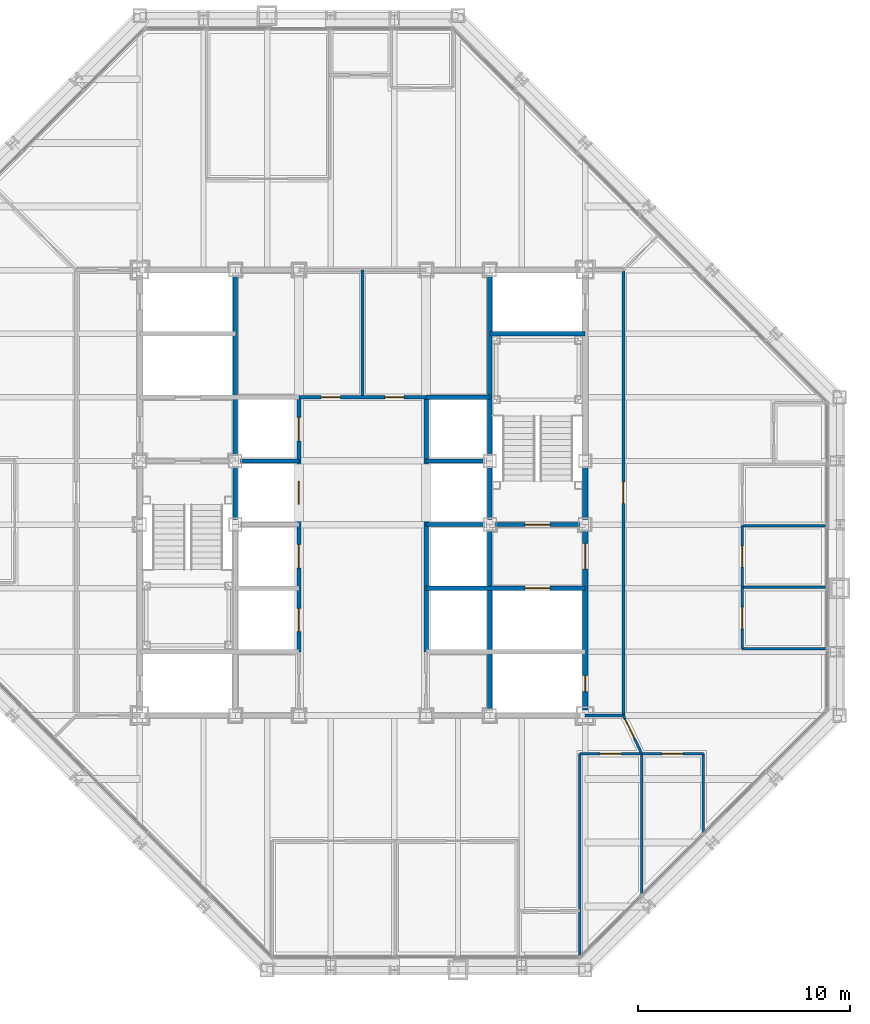
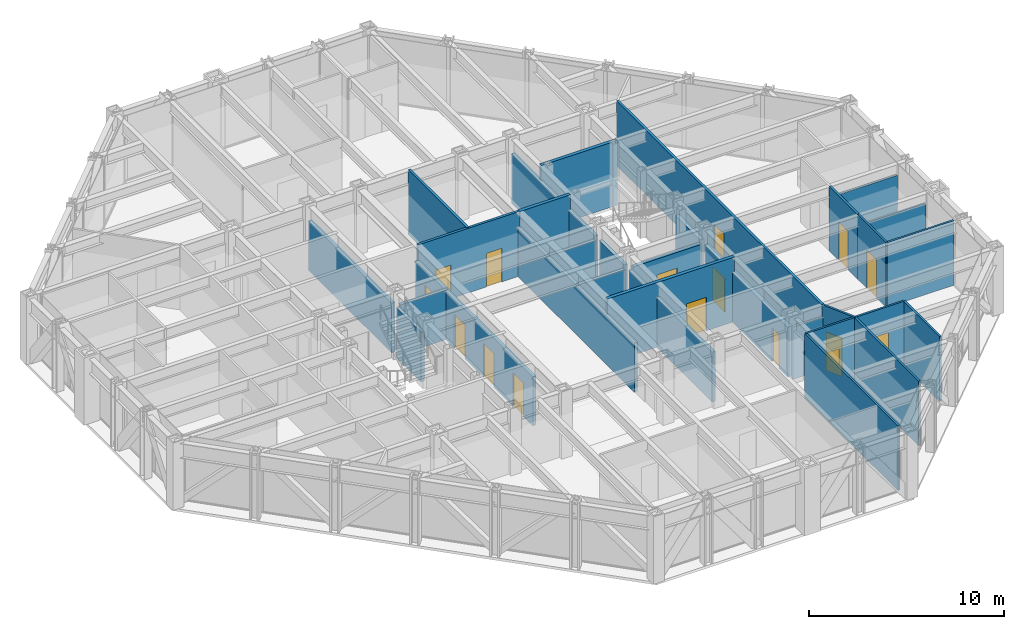
# One storey, part 12 of 16: 31 walls, 16 doors, 16 openings.
"""IFC4 building model written with IfcOpenShell, lengths in metres."""

from ifc_helpers import new_model, si_unit, direction, frame, frame_2d, origin, place, context, subcontext, project, spatial, rectangle, extrude, material, layer, layer_set, type_object, element, fill, save


model = new_model("IFC4")

# Units and contexts
model_context = context("Model", 3, precision=1e-05, world=origin(), true_north=direction((0.0, 1.0)))
body_context = subcontext(model_context, "Body", "Model", "MODEL_VIEW")
ifc_project = project(units=[si_unit("LENGTHUNIT", "METRE"), si_unit("AREAUNIT", "SQUARE_METRE"), si_unit("VOLUMEUNIT", "CUBIC_METRE"), si_unit("PLANEANGLEUNIT", "RADIAN"), si_unit("MASSUNIT", "GRAM", prefix="KILO")], contexts=[model_context])

# Site, building, storey
site_placement = place(None, origin())
site = spatial("IfcSite", under=ifc_project, at=site_placement, CompositionType="ELEMENT")
building_placement = place(site_placement, origin())
building = spatial("IfcBuilding", under=site, at=building_placement, Name="Chuquiago Exchange Tower", CompositionType="ELEMENT")
storey_placement = place(building_placement, frame((0.0, 0.0, 213.89990234375)))
storey = spatial("IfcBuildingStorey", under=building, at=storey_placement, Name="L47", CompositionType="ELEMENT", Elevation=213.89990234375)

# Wall, openings, doors
ifc_material_1 = material(Name="Concrete masonry, fully grouted", Category="masonry")
ifc_layer_1 = layer(ifc_material_1, 0.25)
ifc_layer_set_1 = layer_set([ifc_layer_1], Name="W1 core wall 250")
wall_type_1 = type_object("IfcWallType", Name="W1 core wall 250", PredefinedType="SOLIDWALL", material=ifc_layer_set_1)
wall_1_placement = place(storey_placement, frame((33.0, 12.25, 0.0), z_axis=(0.0, 0.0, 1.0), x_axis=(0.0, 1.0, 0.0)))
wall_1 = element("IfcWall", 1, at=wall_1_placement, inside=storey, type_object=wall_type_1, Name="CW-L47-25-0", PredefinedType="SOLIDWALL", context=body_context, shape_type="SweptSolid", body=[
    extrude(rectangle(XDim=8.5, YDim=0.25, at=frame_2d((4.25, 0.0))), origin(), (0.0, 0.0, 1.0), 3.113037109375),
])
opening_1_placement = place(wall_1_placement, frame((6.64990234375, 0.0, 0.0)))
opening_1 = element("IfcOpeningElement", 2, at=opening_1_placement, cuts=wall_1, Name="Opening L47-004", PredefinedType="OPENING", context=body_context, shape_type="SweptSolid", body=[
    extrude(rectangle(XDim=1.199951171875, YDim=2.10009765625, at=frame_2d((0.60009765625, 1.050048828125))), frame((0.0, 0.135009765625, 0.0), z_axis=(0.0, -1.0, 0.0), x_axis=(1.0, 0.0, 0.0)), (0.0, 0.0, 1.0), 0.27001953125),
])
opening_2_placement = place(wall_1_placement, frame((0.875, 0.0, 0.0)))
opening_2 = element("IfcOpeningElement", 3, at=opening_2_placement, cuts=wall_1, Name="Opening L47-009", PredefinedType="OPENING", context=body_context, shape_type="SweptSolid", body=[
    extrude(rectangle(XDim=0.75, YDim=2.10009765625, at=frame_2d((0.375, 1.050048828125))), frame((0.0, 0.135009765625, 0.0), z_axis=(0.0, -1.0, 0.0), x_axis=(1.0, 0.0, 0.0)), (0.0, 0.0, 1.0), 0.27001953125),
])
ifc_material_2 = material(Name="Steel door, painted", Category="steel")
door_type_1 = type_object("IfcDoorType", Name="D5 firefighting lobby door 1200x2100", OperationType="SINGLE_SWING_LEFT", PredefinedType="DOOR", material=ifc_material_2)
door_1_placement = place(opening_1_placement, origin())
door_1 = element("IfcDoor", 4, at=door_1_placement, inside=storey, type_object=door_type_1, Name="Firefighting lobby 2 door", OperationType="SINGLE_SWING_RIGHT", OverallHeight=2.10009765625, OverallWidth=1.199951171875, PredefinedType="DOOR", context=body_context, shape_type="SweptSolid", body=[
    extrude(rectangle(XDim=1.199951171875, YDim=2.10009765625, at=frame_2d((0.60009765625, 1.050048828125))), frame((0.0, 0.02490234375, 0.0), z_axis=(0.0, -1.0, 0.0), x_axis=(1.0, 0.0, 0.0)), (0.0, 0.0, 1.0), 0.050048828125),
])
fill(opening_1, door_1)
ifc_material_3 = material(Name="Steel door, painted", Category="steel")
door_type_2 = type_object("IfcDoorType", Name="D6 riser access door 750x2100", OperationType="SINGLE_SWING_LEFT", PredefinedType="DOOR", material=ifc_material_3)
door_2_placement = place(opening_2_placement, frame((0.75, 0.0, 0.0), z_axis=(0.0, 0.0, 1.0), x_axis=(-1.0, 0.0, 0.0)))
door_2 = element("IfcDoor", 5, at=door_2_placement, inside=storey, type_object=door_type_2, Name="Riser RE1 door", OperationType="SINGLE_SWING_RIGHT", OverallHeight=2.10009765625, OverallWidth=0.75, PredefinedType="DOOR", context=body_context, shape_type="SweptSolid", body=[
    extrude(rectangle(XDim=0.75, YDim=2.10009765625, at=frame_2d((0.375, 1.050048828125))), frame((0.0, 0.02490234375, 0.0), z_axis=(0.0, -1.0, 0.0), x_axis=(1.0, 0.0, 0.0)), (0.0, 0.0, 1.0), 0.050048828125),
])
fill(opening_2, door_2)

# Wall
wall_2_placement = place(storey_placement, frame((33.0, 21.25, 0.0), z_axis=(0.0, 0.0, 1.0), x_axis=(0.0, 1.0, 0.0)))
element("IfcWall", 6, at=wall_2_placement, inside=storey, type_object=wall_type_1, Name="CW-L47-25-1", PredefinedType="SOLIDWALL", context=body_context, shape_type="SweptSolid", body=[
    extrude(rectangle(XDim=2.5, YDim=0.25, at=frame_2d((1.25, 0.0))), origin(), (0.0, 0.0, 1.0), 3.113037109375),
])

# Wall, opening, door
ifc_material_4 = material(Name="Gypsum board on steel studs, acoustic insulation", Category="steel")
ifc_layer_2 = layer(ifc_material_4, 0.14990234375)
ifc_layer_set_2 = layer_set([ifc_layer_2], Name="W11 corridor wall 150")
wall_type_2 = type_object("IfcWallType", Name="W11 corridor wall 150", PredefinedType="PARTITIONING", material=ifc_layer_set_2)
wall_3_placement = place(storey_placement, frame((34.800048828125, 12.0, 0.0), z_axis=(0.0, 0.0, 1.0), x_axis=(0.0, 1.0, 0.0)))
wall_3 = element("IfcWall", 7, at=wall_3_placement, inside=storey, type_object=wall_type_2, Name="PW-L47-GE0", PredefinedType="PARTITIONING", context=body_context, shape_type="SweptSolid", body=[
    extrude(rectangle(XDim=21.0, YDim=0.14990234375, at=frame_2d((10.5, 0.0))), origin(), (0.0, 0.0, 1.0), 4.0400390625),
])
opening_3_placement = place(wall_3_placement, frame((10.0, 0.0, 0.0)))
opening_3 = element("IfcOpeningElement", 8, at=opening_3_placement, cuts=wall_3, Name="Opening L47-038", PredefinedType="OPENING", context=body_context, shape_type="SweptSolid", body=[
    extrude(rectangle(XDim=1.0, YDim=2.39990234375, at=frame_2d((0.5, 1.199951171875))), frame((0.0, 0.0849609375, 0.0), z_axis=(0.0, -1.0, 0.0), x_axis=(1.0, 0.0, 0.0)), (0.0, 0.0, 1.0), 0.169921875),
])
ifc_material_5 = material(Name="Timber door, laminate faced", Category="wood")
door_type_3 = type_object("IfcDoorType", Name="D9 room door 1000x2400", OperationType="SINGLE_SWING_LEFT", PredefinedType="DOOR", material=ifc_material_5)
door_3_placement = place(opening_3_placement, frame((1.0, 0.0, 0.0), z_axis=(0.0, 0.0, 1.0), x_axis=(-1.0, 0.0, 0.0)))
door_3 = element("IfcDoor", 9, at=door_3_placement, inside=storey, type_object=door_type_3, Name="Team area door", OperationType="SINGLE_SWING_RIGHT", OverallHeight=2.39990234375, OverallWidth=1.0, PredefinedType="DOOR", context=body_context, shape_type="SweptSolid", body=[
    extrude(rectangle(XDim=1.0, YDim=2.39990234375, at=frame_2d((0.5, 1.199951171875))), frame((0.0, 0.02490234375, 0.0), z_axis=(0.0, -1.0, 0.0), x_axis=(1.0, 0.0, 0.0)), (0.0, 0.0, 1.0), 0.050048828125),
])
fill(opening_3, door_3)

# Walls
wall_4_placement = place(storey_placement, frame((33.0, 12.0, 0.0), z_axis=(0.0, 0.0, 1.0), x_axis=(1.0, 0.0, 0.0)))
element("IfcWall", 10, at=wall_4_placement, inside=storey, type_object=wall_type_2, Name="PW-L47-GES0", PredefinedType="PARTITIONING", context=body_context, shape_type="SweptSolid", body=[
    extrude(rectangle(XDim=1.800048828125, YDim=0.14990234375, at=frame_2d((0.89990234375, 0.0))), origin(), (0.0, 0.0, 1.0), 3.2705078125),
])
ifc_material_6 = material(Name="Concrete masonry, fully grouted", Category="masonry")
ifc_layer_3 = layer(ifc_material_6, 0.199951171875)
ifc_layer_set_3 = layer_set([ifc_layer_3], Name="W2 shaft wall 200")
wall_type_3 = type_object("IfcWallType", Name="W2 shaft wall 200", PredefinedType="SOLIDWALL", material=ifc_layer_set_3)
for number, where, z_axis, x_axis, name in (
    (11, (16.75, 24.0, 0.0), (0.0, 0.0, 1.0), (1.0, 0.0, 0.0), "CW-L47-05-1"),
    (12, (25.5, 24.0, 0.0), (0.0, 0.0, 1.0), (1.0, 0.0, 0.0), "CW-L47-06-0"),
):
    element("IfcWall", number, at=place(storey_placement, frame(where, z_axis=z_axis, x_axis=x_axis)), inside=storey, type_object=wall_type_3, Name=name, PredefinedType="SOLIDWALL", context=body_context, shape_type="SweptSolid", body=[
        extrude(rectangle(XDim=2.75, YDim=0.199951171875, at=frame_2d((1.375, 0.0))), origin(), (0.0, 0.0, 1.0), 3.090087890625),
    ])
wall_5_placement = place(storey_placement, frame((25.5, 27.0, 0.0), z_axis=(0.0, 0.0, 1.0), x_axis=(1.0, 0.0, 0.0)))
element("IfcWall", 13, at=wall_5_placement, inside=storey, type_object=wall_type_3, Name="CW-L47-08-0", PredefinedType="SOLIDWALL", context=body_context, shape_type="SweptSolid", body=[
    extrude(rectangle(XDim=3.0, YDim=0.199951171875, at=frame_2d((1.5, 0.0))), origin(), (0.0, 0.0, 1.0), 4.0400390625),
])
wall_6_placement = place(storey_placement, frame((28.5, 30.0, 0.0), z_axis=(0.0, 0.0, 1.0), x_axis=(1.0, 0.0, 0.0)))
element("IfcWall", 14, at=wall_6_placement, inside=storey, type_object=wall_type_3, Name="CW-L47-10-0", PredefinedType="SOLIDWALL", context=body_context, shape_type="SweptSolid", body=[
    extrude(rectangle(XDim=4.5, YDim=0.199951171875, at=frame_2d((2.25, 0.0))), origin(), (0.0, 0.0, 1.0), 4.0400390625),
])
wall_7_placement = place(storey_placement, frame((16.5, 21.25, 0.0), z_axis=(0.0, 0.0, 1.0), x_axis=(0.0, 1.0, 0.0)))
element("IfcWall", 15, at=wall_7_placement, inside=storey, type_object=wall_type_3, Name="CW-L47-13-1", PredefinedType="SOLIDWALL", context=body_context, shape_type="SweptSolid", body=[
    extrude(rectangle(XDim=2.5, YDim=0.199951171875, at=frame_2d((1.25, 0.0))), origin(), (0.0, 0.0, 1.0), 3.113037109375),
])
wall_8_placement = place(storey_placement, frame((16.5, 24.25, 0.0), z_axis=(0.0, 0.0, 1.0), x_axis=(0.0, 1.0, 0.0)))
element("IfcWall", 16, at=wall_8_placement, inside=storey, type_object=wall_type_3, Name="CW-L47-13-2", PredefinedType="SOLIDWALL", context=body_context, shape_type="SweptSolid", body=[
    extrude(rectangle(XDim=8.5, YDim=0.199951171875, at=frame_2d((4.25, 0.0))), origin(), (0.0, 0.0, 1.0), 3.113037109375),
])

# Wall, opening, door
wall_9_placement = place(storey_placement, frame((25.5, 18.0, 0.0), z_axis=(0.0, 0.0, 1.0), x_axis=(1.0, 0.0, 0.0)))
wall_9 = element("IfcWall", 17, at=wall_9_placement, inside=storey, type_object=wall_type_3, Name="CW-L47-15-0", PredefinedType="SOLIDWALL", context=body_context, shape_type="SweptSolid", body=[
    extrude(rectangle(XDim=7.5, YDim=0.199951171875, at=frame_2d((3.75, 0.0))), origin(), (0.0, 0.0, 1.0), 4.0400390625),
])
opening_4_placement = place(wall_9_placement, frame((4.64990234375, 0.0, 0.0)))
opening_4 = element("IfcOpeningElement", 18, at=opening_4_placement, cuts=wall_9, Name="Opening L47-006", PredefinedType="OPENING", context=body_context, shape_type="SweptSolid", body=[
    extrude(rectangle(XDim=1.199951171875, YDim=2.10009765625, at=frame_2d((0.60009765625, 1.050048828125))), frame((0.0, 0.10986328125, 0.0), z_axis=(0.0, -1.0, 0.0), x_axis=(1.0, 0.0, 0.0)), (0.0, 0.0, 1.0), 0.219970703125),
])
ifc_material_7 = material(Name="Stainless steel lift landing door", Category="steel")
door_type_4 = type_object("IfcDoorType", Name="LD2 firefighting lift landing door 1200x2100", OperationType="DOUBLE_DOOR_SLIDING", PredefinedType="DOOR", material=ifc_material_7)
door_4_placement = place(opening_4_placement, origin())
door_4 = element("IfcDoor", 19, at=door_4_placement, inside=storey, type_object=door_type_4, Name="Firefighting lift FL2 landing door", OperationType="DOUBLE_DOOR_SLIDING", OverallHeight=2.10009765625, OverallWidth=1.199951171875, PredefinedType="DOOR", context=body_context, shape_type="SweptSolid", body=[
    extrude(rectangle(XDim=1.199951171875, YDim=2.10009765625, at=frame_2d((0.60009765625, 1.050048828125))), frame((0.0, 0.02490234375, 0.0), z_axis=(0.0, -1.0, 0.0), x_axis=(1.0, 0.0, 0.0)), (0.0, 0.0, 1.0), 0.050048828125),
])
fill(opening_4, door_4)

# Wall
wall_10_placement = place(storey_placement, frame((25.5, 21.0, 0.0), z_axis=(0.0, 0.0, 1.0), x_axis=(1.0, 0.0, 0.0)))
element("IfcWall", 20, at=wall_10_placement, inside=storey, type_object=wall_type_3, Name="CW-L47-17-0", PredefinedType="SOLIDWALL", context=body_context, shape_type="SweptSolid", body=[
    extrude(rectangle(XDim=2.75, YDim=0.199951171875, at=frame_2d((1.375, 0.0))), origin(), (0.0, 0.0, 1.0), 3.090087890625),
])

# Wall, opening, door
wall_11_placement = place(storey_placement, frame((28.75, 21.0, 0.0), z_axis=(0.0, 0.0, 1.0), x_axis=(1.0, 0.0, 0.0)))
wall_11 = element("IfcWall", 21, at=wall_11_placement, inside=storey, type_object=wall_type_3, Name="CW-L47-17-1", PredefinedType="SOLIDWALL", context=body_context, shape_type="SweptSolid", body=[
    extrude(rectangle(XDim=4.0, YDim=0.199951171875, at=frame_2d((2.0, 0.0))), origin(), (0.0, 0.0, 1.0), 3.090087890625),
])
opening_5_placement = place(wall_11_placement, frame((1.39990234375, 0.0, 0.0)))
opening_5 = element("IfcOpeningElement", 22, at=opening_5_placement, cuts=wall_11, Name="Opening L47-003", PredefinedType="OPENING", context=body_context, shape_type="SweptSolid", body=[
    extrude(rectangle(XDim=1.199951171875, YDim=2.10009765625, at=frame_2d((0.60009765625, 1.050048828125))), frame((0.0, 0.10986328125, 0.0), z_axis=(0.0, -1.0, 0.0), x_axis=(1.0, 0.0, 0.0)), (0.0, 0.0, 1.0), 0.219970703125),
])
ifc_material_8 = material(Name="Steel door, painted", Category="steel")
door_type_5 = type_object("IfcDoorType", Name="D4 stair door 1200x2100", OperationType="SINGLE_SWING_LEFT", PredefinedType="DOOR", material=ifc_material_8)
door_5_placement = place(opening_5_placement, origin())
door_5 = element("IfcDoor", 23, at=door_5_placement, inside=storey, type_object=door_type_5, Name="Stair ST2 door", OperationType="SINGLE_SWING_LEFT", OverallHeight=2.10009765625, OverallWidth=1.199951171875, PredefinedType="DOOR", context=body_context, shape_type="SweptSolid", body=[
    extrude(rectangle(XDim=1.199951171875, YDim=2.10009765625, at=frame_2d((0.60009765625, 1.050048828125))), frame((0.0, 0.02490234375, 0.0), z_axis=(0.0, -1.0, 0.0), x_axis=(1.0, 0.0, 0.0)), (0.0, 0.0, 1.0), 0.050048828125),
])
fill(opening_5, door_5)

# Wall, openings, doors
wall_12_placement = place(storey_placement, frame((19.5, 15.0, 0.0), z_axis=(0.0, 0.0, 1.0), x_axis=(0.0, 1.0, 0.0)))
wall_12 = element("IfcWall", 24, at=wall_12_placement, inside=storey, type_object=wall_type_3, Name="CW-L47-19-0", PredefinedType="SOLIDWALL", context=body_context, shape_type="SweptSolid", body=[
    extrude(rectangle(XDim=12.0, YDim=0.199951171875, at=frame_2d((6.0, 0.0))), origin(), (0.0, 0.0, 1.0), 3.064697265625),
])
opening_6_placement = place(wall_12_placement, frame((0.949951171875, 0.0, 0.0)))
opening_6 = element("IfcOpeningElement", 25, at=opening_6_placement, cuts=wall_12, Name="Opening L47-015", PredefinedType="OPENING", context=body_context, shape_type="SweptSolid", body=[
    extrude(rectangle(XDim=1.10009765625, YDim=2.10009765625, at=frame_2d((0.550048828125, 1.050048828125))), frame((0.0, 0.10986328125, 0.0), z_axis=(0.0, -1.0, 0.0), x_axis=(1.0, 0.0, 0.0)), (0.0, 0.0, 1.0), 0.219970703125),
])
opening_7_placement = place(wall_12_placement, frame((3.949951171875, 0.0, 0.0)))
opening_7 = element("IfcOpeningElement", 26, at=opening_7_placement, cuts=wall_12, Name="Opening L47-016", PredefinedType="OPENING", context=body_context, shape_type="SweptSolid", body=[
    extrude(rectangle(XDim=1.10009765625, YDim=2.10009765625, at=frame_2d((0.550048828125, 1.050048828125))), frame((0.0, 0.10986328125, 0.0), z_axis=(0.0, -1.0, 0.0), x_axis=(1.0, 0.0, 0.0)), (0.0, 0.0, 1.0), 0.219970703125),
])
opening_8_placement = place(wall_12_placement, frame((6.949951171875, 0.0, 0.0)))
opening_8 = element("IfcOpeningElement", 27, at=opening_8_placement, cuts=wall_12, Name="Opening L47-017", PredefinedType="OPENING", context=body_context, shape_type="SweptSolid", body=[
    extrude(rectangle(XDim=1.10009765625, YDim=2.10009765625, at=frame_2d((0.550048828125, 1.050048828125))), frame((0.0, 0.10986328125, 0.0), z_axis=(0.0, -1.0, 0.0), x_axis=(1.0, 0.0, 0.0)), (0.0, 0.0, 1.0), 0.219970703125),
])
opening_9_placement = place(wall_12_placement, frame((9.949951171875, 0.0, 0.0)))
opening_9 = element("IfcOpeningElement", 28, at=opening_9_placement, cuts=wall_12, Name="Opening L47-018", PredefinedType="OPENING", context=body_context, shape_type="SweptSolid", body=[
    extrude(rectangle(XDim=1.10009765625, YDim=2.10009765625, at=frame_2d((0.550048828125, 1.050048828125))), frame((0.0, 0.10986328125, 0.0), z_axis=(0.0, -1.0, 0.0), x_axis=(1.0, 0.0, 0.0)), (0.0, 0.0, 1.0), 0.219970703125),
])
ifc_material_9 = material(Name="Stainless steel lift landing door", Category="steel")
door_type_6 = type_object("IfcDoorType", Name="LD1 lift landing door 1100x2100", OperationType="DOUBLE_DOOR_SLIDING", PredefinedType="DOOR", material=ifc_material_9)
door_6_placement = place(opening_6_placement, origin())
door_6 = element("IfcDoor", 29, at=door_6_placement, inside=storey, type_object=door_type_6, Name="Lift LC1 landing door", OperationType="DOUBLE_DOOR_SLIDING", OverallHeight=2.10009765625, OverallWidth=1.10009765625, PredefinedType="DOOR", context=body_context, shape_type="SweptSolid", body=[
    extrude(rectangle(XDim=1.10009765625, YDim=2.10009765625, at=frame_2d((0.550048828125, 1.050048828125))), frame((0.0, 0.02490234375, 0.0), z_axis=(0.0, -1.0, 0.0), x_axis=(1.0, 0.0, 0.0)), (0.0, 0.0, 1.0), 0.050048828125),
])
fill(opening_6, door_6)
door_7_placement = place(opening_7_placement, origin())
door_7 = element("IfcDoor", 30, at=door_7_placement, inside=storey, type_object=door_type_6, Name="Lift LC2 landing door", OperationType="DOUBLE_DOOR_SLIDING", OverallHeight=2.10009765625, OverallWidth=1.10009765625, PredefinedType="DOOR", context=body_context, shape_type="SweptSolid", body=[
    extrude(rectangle(XDim=1.10009765625, YDim=2.10009765625, at=frame_2d((0.550048828125, 1.050048828125))), frame((0.0, 0.02490234375, 0.0), z_axis=(0.0, -1.0, 0.0), x_axis=(1.0, 0.0, 0.0)), (0.0, 0.0, 1.0), 0.050048828125),
])
fill(opening_7, door_7)
door_8_placement = place(opening_8_placement, origin())
door_8 = element("IfcDoor", 31, at=door_8_placement, inside=storey, type_object=door_type_6, Name="Lift LC3 landing door", OperationType="DOUBLE_DOOR_SLIDING", OverallHeight=2.10009765625, OverallWidth=1.10009765625, PredefinedType="DOOR", context=body_context, shape_type="SweptSolid", body=[
    extrude(rectangle(XDim=1.10009765625, YDim=2.10009765625, at=frame_2d((0.550048828125, 1.050048828125))), frame((0.0, 0.02490234375, 0.0), z_axis=(0.0, -1.0, 0.0), x_axis=(1.0, 0.0, 0.0)), (0.0, 0.0, 1.0), 0.050048828125),
])
fill(opening_8, door_8)
door_9_placement = place(opening_9_placement, origin())
door_9 = element("IfcDoor", 32, at=door_9_placement, inside=storey, type_object=door_type_6, Name="Lift LC4 landing door", OperationType="DOUBLE_DOOR_SLIDING", OverallHeight=2.10009765625, OverallWidth=1.10009765625, PredefinedType="DOOR", context=body_context, shape_type="SweptSolid", body=[
    extrude(rectangle(XDim=1.10009765625, YDim=2.10009765625, at=frame_2d((0.550048828125, 1.050048828125))), frame((0.0, 0.02490234375, 0.0), z_axis=(0.0, -1.0, 0.0), x_axis=(1.0, 0.0, 0.0)), (0.0, 0.0, 1.0), 0.050048828125),
])
fill(opening_9, door_9)

# Walls
wall_13_placement = place(storey_placement, frame((25.5, 15.0, 0.0), z_axis=(0.0, 0.0, 1.0), x_axis=(0.0, 1.0, 0.0)))
element("IfcWall", 33, at=wall_13_placement, inside=storey, type_object=wall_type_3, Name="CW-L47-22-0", PredefinedType="SOLIDWALL", context=body_context, shape_type="SweptSolid", body=[
    extrude(rectangle(XDim=12.0, YDim=0.199951171875, at=frame_2d((6.0, 0.0))), origin(), (0.0, 0.0, 1.0), 3.064697265625),
])
wall_14_placement = place(storey_placement, frame((28.5, 12.25, 0.0), z_axis=(0.0, 0.0, 1.0), x_axis=(0.0, 1.0, 0.0)))
element("IfcWall", 34, at=wall_14_placement, inside=storey, type_object=wall_type_3, Name="CW-L47-24-0", PredefinedType="SOLIDWALL", context=body_context, shape_type="SweptSolid", body=[
    extrude(rectangle(XDim=8.5, YDim=0.199951171875, at=frame_2d((4.25, 0.0))), origin(), (0.0, 0.0, 1.0), 3.113037109375),
])
wall_15_placement = place(storey_placement, frame((28.5, 21.25, 0.0), z_axis=(0.0, 0.0, 1.0), x_axis=(0.0, 1.0, 0.0)))
element("IfcWall", 35, at=wall_15_placement, inside=storey, type_object=wall_type_3, Name="CW-L47-24-1", PredefinedType="SOLIDWALL", context=body_context, shape_type="SweptSolid", body=[
    extrude(rectangle(XDim=2.5, YDim=0.199951171875, at=frame_2d((1.25, 0.0))), origin(), (0.0, 0.0, 1.0), 3.113037109375),
])
wall_16_placement = place(storey_placement, frame((28.5, 24.25, 0.0), z_axis=(0.0, 0.0, 1.0), x_axis=(0.0, 1.0, 0.0)))
element("IfcWall", 36, at=wall_16_placement, inside=storey, type_object=wall_type_3, Name="CW-L47-24-2", PredefinedType="SOLIDWALL", context=body_context, shape_type="SweptSolid", body=[
    extrude(rectangle(XDim=8.5, YDim=0.199951171875, at=frame_2d((4.25, 0.0))), origin(), (0.0, 0.0, 1.0), 3.113037109375),
])

# Wall, openings, doors
ifc_material_10 = material(Name="Gypsum board on steel studs", Category="steel")
ifc_layer_4 = layer(ifc_material_10, 0.14990234375)
ifc_layer_set_4 = layer_set([ifc_layer_4], Name="W3 core partition 150")
wall_type_4 = type_object("IfcWallType", Name="W3 core partition 150", PredefinedType="PARTITIONING", material=ifc_layer_set_4)
wall_17_placement = place(storey_placement, frame((19.5, 27.0, 0.0), z_axis=(0.0, 0.0, 1.0), x_axis=(1.0, 0.0, 0.0)))
wall_17 = element("IfcWall", 37, at=wall_17_placement, inside=storey, type_object=wall_type_4, Name="CW-L47-TF", PredefinedType="PARTITIONING", context=body_context, shape_type="SweptSolid", body=[
    extrude(rectangle(XDim=6.0, YDim=0.14990234375, at=frame_2d((3.0, 0.0))), origin(), (0.0, 0.0, 1.0), 4.0400390625),
])
opening_10_placement = place(wall_17_placement, frame((1.050048828125, 0.0, 0.0)))
opening_10 = element("IfcOpeningElement", 38, at=opening_10_placement, cuts=wall_17, Name="Opening L47-011", PredefinedType="OPENING", context=body_context, shape_type="SweptSolid", body=[
    extrude(rectangle(XDim=0.89990234375, YDim=2.10009765625, at=frame_2d((0.449951171875, 1.050048828125))), frame((0.0, 0.0849609375, 0.0), z_axis=(0.0, -1.0, 0.0), x_axis=(1.0, 0.0, 0.0)), (0.0, 0.0, 1.0), 0.169921875),
])
opening_11_placement = place(wall_17_placement, frame((4.050048828125, 0.0, 0.0)))
opening_11 = element("IfcOpeningElement", 39, at=opening_11_placement, cuts=wall_17, Name="Opening L47-012", PredefinedType="OPENING", context=body_context, shape_type="SweptSolid", body=[
    extrude(rectangle(XDim=0.89990234375, YDim=2.10009765625, at=frame_2d((0.449951171875, 1.050048828125))), frame((0.0, 0.0849609375, 0.0), z_axis=(0.0, -1.0, 0.0), x_axis=(1.0, 0.0, 0.0)), (0.0, 0.0, 1.0), 0.169921875),
])
ifc_material_11 = material(Name="Timber door, laminate faced", Category="wood")
door_type_7 = type_object("IfcDoorType", Name="D7 toilet door 900x2100", OperationType="SINGLE_SWING_LEFT", PredefinedType="DOOR", material=ifc_material_11)
door_10_placement = place(opening_10_placement, origin())
door_10 = element("IfcDoor", 40, at=door_10_placement, inside=storey, type_object=door_type_7, Name="Male WC door", OperationType="SINGLE_SWING_RIGHT", OverallHeight=2.10009765625, OverallWidth=0.89990234375, PredefinedType="DOOR", context=body_context, shape_type="SweptSolid", body=[
    extrude(rectangle(XDim=0.89990234375, YDim=2.10009765625, at=frame_2d((0.449951171875, 1.050048828125))), frame((0.0, 0.02490234375, 0.0), z_axis=(0.0, -1.0, 0.0), x_axis=(1.0, 0.0, 0.0)), (0.0, 0.0, 1.0), 0.050048828125),
])
fill(opening_10, door_10)
door_11_placement = place(opening_11_placement, origin())
door_11 = element("IfcDoor", 41, at=door_11_placement, inside=storey, type_object=door_type_7, Name="Female WC door", OperationType="SINGLE_SWING_LEFT", OverallHeight=2.10009765625, OverallWidth=0.89990234375, PredefinedType="DOOR", context=body_context, shape_type="SweptSolid", body=[
    extrude(rectangle(XDim=0.89990234375, YDim=2.10009765625, at=frame_2d((0.449951171875, 1.050048828125))), frame((0.0, 0.02490234375, 0.0), z_axis=(0.0, -1.0, 0.0), x_axis=(1.0, 0.0, 0.0)), (0.0, 0.0, 1.0), 0.050048828125),
])
fill(opening_11, door_11)

# Walls
wall_18_placement = place(storey_placement, frame((22.5, 27.0, 0.0), z_axis=(0.0, 0.0, 1.0), x_axis=(0.0, 1.0, 0.0)))
element("IfcWall", 42, at=wall_18_placement, inside=storey, type_object=wall_type_4, Name="CW-L47-TM", PredefinedType="PARTITIONING", context=body_context, shape_type="SweptSolid", body=[
    extrude(rectangle(XDim=6.0, YDim=0.14990234375, at=frame_2d((3.0, 0.0))), origin(), (0.0, 0.0, 1.0), 4.0400390625),
])
ifc_material_12 = material(Name="Gypsum board on steel studs", Category="steel")
ifc_layer_5 = layer(ifc_material_12, 0.1201171875)
ifc_layer_set_5 = layer_set([ifc_layer_5], Name="W4 partition 120")
wall_type_5 = type_object("IfcWallType", Name="W4 partition 120", PredefinedType="PARTITIONING", material=ifc_layer_set_5)
wall_19_placement = place(storey_placement, frame((32.75146484375, 0.666015625, 0.0), z_axis=(0.0, 0.0, 1.0), x_axis=(0.0, 1.0, 0.0)))
element("IfcWall", 43, at=wall_19_placement, inside=storey, type_object=wall_type_5, Name="PW-L47-S03275", PredefinedType="PARTITIONING", context=body_context, shape_type="SweptSolid", body=[
    extrude(rectangle(XDim=9.533935546875, YDim=0.1201171875, at=frame_2d((4.76708984375, 0.0))), origin(), (0.0, 0.0, 1.0), 4.0400390625),
])
wall_20_placement = place(storey_placement, frame((35.66357421875, 3.578125, 0.0), z_axis=(0.0, 0.0, 1.0), x_axis=(0.0, 1.0, 0.0)))
element("IfcWall", 44, at=wall_20_placement, inside=storey, type_object=wall_type_5, Name="PW-L47-S03566", PredefinedType="PARTITIONING", context=body_context, shape_type="SweptSolid", body=[
    extrude(rectangle(XDim=6.621826171875, YDim=0.1201171875, at=frame_2d((3.31103515625, 0.0))), origin(), (0.0, 0.0, 1.0), 4.0400390625),
])
wall_21_placement = place(storey_placement, frame((38.57568359375, 6.490234375, 0.0), z_axis=(0.0, 0.0, 1.0), x_axis=(0.0, 1.0, 0.0)))
element("IfcWall", 45, at=wall_21_placement, inside=storey, type_object=wall_type_5, Name="PW-L47-S03858", PredefinedType="PARTITIONING", context=body_context, shape_type="SweptSolid", body=[
    extrude(rectangle(XDim=3.709716796875, YDim=0.1201171875, at=frame_2d((1.85498046875, 0.0))), origin(), (0.0, 0.0, 1.0), 4.0400390625),
])

# Wall, opening, door
wall_22_placement = place(storey_placement, frame((32.75146484375, 10.199951171875, 0.0), z_axis=(0.0, 0.0, 1.0), x_axis=(1.0, 0.0, 0.0)))
wall_22 = element("IfcWall", 46, at=wall_22_placement, inside=storey, type_object=wall_type_5, Name="PW-L47-SF03275", PredefinedType="PARTITIONING", context=body_context, shape_type="SweptSolid", body=[
    extrude(rectangle(XDim=2.912109375, YDim=0.1201171875, at=frame_2d((1.4560546875, 0.0))), origin(), (0.0, 0.0, 1.0), 4.0400390625),
])
opening_12_placement = place(wall_22_placement, frame((0.9560546875, 0.0, 0.0)))
opening_12 = element("IfcOpeningElement", 47, at=opening_12_placement, cuts=wall_22, Name="Opening L47-022", PredefinedType="OPENING", context=body_context, shape_type="SweptSolid", body=[
    extrude(rectangle(XDim=1.0, YDim=2.39990234375, at=frame_2d((0.5, 1.199951171875))), frame((0.0, 0.070068359375, 0.0), z_axis=(0.0, -1.0, 0.0), x_axis=(1.0, 0.0, 0.0)), (0.0, 0.0, 1.0), 0.14013671875),
])
door_12_placement = place(opening_12_placement, frame((1.0, 0.0, 0.0), z_axis=(0.0, 0.0, 1.0), x_axis=(-1.0, 0.0, 0.0)))
door_12 = element("IfcDoor", 48, at=door_12_placement, inside=storey, type_object=door_type_3, Name="Office door", OperationType="SINGLE_SWING_LEFT", OverallHeight=2.39990234375, OverallWidth=1.0, PredefinedType="DOOR", context=body_context, shape_type="SweptSolid", body=[
    extrude(rectangle(XDim=1.0, YDim=2.39990234375, at=frame_2d((0.5, 1.199951171875))), frame((0.0, 0.02490234375, 0.0), z_axis=(0.0, -1.0, 0.0), x_axis=(1.0, 0.0, 0.0)), (0.0, 0.0, 1.0), 0.050048828125),
])
fill(opening_12, door_12)

wall_23_placement = place(storey_placement, frame((35.66357421875, 10.199951171875, 0.0), z_axis=(0.0, 0.0, 1.0), x_axis=(1.0, 0.0, 0.0)))
wall_23 = element("IfcWall", 49, at=wall_23_placement, inside=storey, type_object=wall_type_5, Name="PW-L47-SF03566", PredefinedType="PARTITIONING", context=body_context, shape_type="SweptSolid", body=[
    extrude(rectangle(XDim=2.912109375, YDim=0.1201171875, at=frame_2d((1.4560546875, 0.0))), origin(), (0.0, 0.0, 1.0), 4.0400390625),
])
opening_13_placement = place(wall_23_placement, frame((0.9560546875, 0.0, 0.0)))
opening_13 = element("IfcOpeningElement", 50, at=opening_13_placement, cuts=wall_23, Name="Opening L47-023", PredefinedType="OPENING", context=body_context, shape_type="SweptSolid", body=[
    extrude(rectangle(XDim=1.0, YDim=2.39990234375, at=frame_2d((0.5, 1.199951171875))), frame((0.0, 0.070068359375, 0.0), z_axis=(0.0, -1.0, 0.0), x_axis=(1.0, 0.0, 0.0)), (0.0, 0.0, 1.0), 0.14013671875),
])
door_13_placement = place(opening_13_placement, frame((1.0, 0.0, 0.0), z_axis=(0.0, 0.0, 1.0), x_axis=(-1.0, 0.0, 0.0)))
door_13 = element("IfcDoor", 51, at=door_13_placement, inside=storey, type_object=door_type_3, Name="Office door", OperationType="SINGLE_SWING_RIGHT", OverallHeight=2.39990234375, OverallWidth=1.0, PredefinedType="DOOR", context=body_context, shape_type="SweptSolid", body=[
    extrude(rectangle(XDim=1.0, YDim=2.39990234375, at=frame_2d((0.5, 1.199951171875))), frame((0.0, 0.02490234375, 0.0), z_axis=(0.0, -1.0, 0.0), x_axis=(1.0, 0.0, 0.0)), (0.0, 0.0, 1.0), 0.050048828125),
])
fill(opening_13, door_13)

# Walls
wall_24_placement = place(storey_placement, frame((44.347412109375, 15.149169921875, 0.0), z_axis=(0.0, 0.0, 1.0), x_axis=(-1.0, 0.0, 0.0)))
element("IfcWall", 52, at=wall_24_placement, inside=storey, type_object=wall_type_5, Name="PW-L47-E01515", PredefinedType="PARTITIONING", context=body_context, shape_type="SweptSolid", body=[
    extrude(rectangle(XDim=3.947509765625, YDim=0.1201171875, at=frame_2d((1.9736328125, 0.0))), origin(), (0.0, 0.0, 1.0), 4.0400390625),
])
for number, where, z_axis, x_axis, name in (
    (53, (44.347412109375, 18.0498046875, 0.0), (0.0, 0.0, 1.0), (-1.0, 0.0, 0.0), "PW-L47-E01805"),
    (54, (44.347412109375, 20.9501953125, 0.0), (0.0, 0.0, 1.0), (-1.0, 0.0, 0.0), "PW-L47-E02095"),
):
    element("IfcWall", number, at=place(storey_placement, frame(where, z_axis=z_axis, x_axis=x_axis)), inside=storey, type_object=wall_type_5, Name=name, PredefinedType="PARTITIONING", context=body_context, shape_type="SweptSolid", body=[
        extrude(rectangle(XDim=3.947509765625, YDim=0.1201171875, at=frame_2d((1.9736328125, 0.0))), origin(), (0.0, 0.0, 1.0), 3.35693359375),
    ])

# Wall, opening, door
wall_25_placement = place(storey_placement, frame((40.39990234375, 15.149169921875, 0.0), z_axis=(0.0, 0.0, 1.0), x_axis=(0.0, 1.0, 0.0)))
wall_25 = element("IfcWall", 55, at=wall_25_placement, inside=storey, type_object=wall_type_5, Name="PW-L47-EF01515", PredefinedType="PARTITIONING", context=body_context, shape_type="SweptSolid", body=[
    extrude(rectangle(XDim=2.900634765625, YDim=0.1201171875, at=frame_2d((1.4501953125, 0.0))), origin(), (0.0, 0.0, 1.0), 4.0400390625),
])
opening_14_placement = place(wall_25_placement, frame((0.9501953125, 0.0, 0.0)))
opening_14 = element("IfcOpeningElement", 56, at=opening_14_placement, cuts=wall_25, Name="Opening L47-024", PredefinedType="OPENING", context=body_context, shape_type="SweptSolid", body=[
    extrude(rectangle(XDim=1.0, YDim=2.39990234375, at=frame_2d((0.5, 1.199951171875))), frame((0.0, 0.070068359375, 0.0), z_axis=(0.0, -1.0, 0.0), x_axis=(1.0, 0.0, 0.0)), (0.0, 0.0, 1.0), 0.14013671875),
])
door_14_placement = place(opening_14_placement, frame((1.0, 0.0, 0.0), z_axis=(0.0, 0.0, 1.0), x_axis=(-1.0, 0.0, 0.0)))
door_14 = element("IfcDoor", 57, at=door_14_placement, inside=storey, type_object=door_type_3, Name="Office door", OperationType="SINGLE_SWING_RIGHT", OverallHeight=2.39990234375, OverallWidth=1.0, PredefinedType="DOOR", context=body_context, shape_type="SweptSolid", body=[
    extrude(rectangle(XDim=1.0, YDim=2.39990234375, at=frame_2d((0.5, 1.199951171875))), frame((0.0, 0.02490234375, 0.0), z_axis=(0.0, -1.0, 0.0), x_axis=(1.0, 0.0, 0.0)), (0.0, 0.0, 1.0), 0.050048828125),
])
fill(opening_14, door_14)

wall_26_placement = place(storey_placement, frame((40.39990234375, 18.0498046875, 0.0), z_axis=(0.0, 0.0, 1.0), x_axis=(0.0, 1.0, 0.0)))
wall_26 = element("IfcWall", 58, at=wall_26_placement, inside=storey, type_object=wall_type_5, Name="PW-L47-EF01805", PredefinedType="PARTITIONING", context=body_context, shape_type="SweptSolid", body=[
    extrude(rectangle(XDim=2.900390625, YDim=0.1201171875, at=frame_2d((1.4501953125, 0.0))), origin(), (0.0, 0.0, 1.0), 4.0400390625),
])
opening_15_placement = place(wall_26_placement, frame((0.9501953125, 0.0, 0.0)))
opening_15 = element("IfcOpeningElement", 59, at=opening_15_placement, cuts=wall_26, Name="Opening L47-025", PredefinedType="OPENING", context=body_context, shape_type="SweptSolid", body=[
    extrude(rectangle(XDim=1.0, YDim=2.39990234375, at=frame_2d((0.5, 1.199951171875))), frame((0.0, 0.070068359375, 0.0), z_axis=(0.0, -1.0, 0.0), x_axis=(1.0, 0.0, 0.0)), (0.0, 0.0, 1.0), 0.14013671875),
])
door_15_placement = place(opening_15_placement, frame((1.0, 0.0, 0.0), z_axis=(0.0, 0.0, 1.0), x_axis=(-1.0, 0.0, 0.0)))
door_15 = element("IfcDoor", 60, at=door_15_placement, inside=storey, type_object=door_type_3, Name="Office door", OperationType="SINGLE_SWING_LEFT", OverallHeight=2.39990234375, OverallWidth=1.0, PredefinedType="DOOR", context=body_context, shape_type="SweptSolid", body=[
    extrude(rectangle(XDim=1.0, YDim=2.39990234375, at=frame_2d((0.5, 1.199951171875))), frame((0.0, 0.02490234375, 0.0), z_axis=(0.0, -1.0, 0.0), x_axis=(1.0, 0.0, 0.0)), (0.0, 0.0, 1.0), 0.050048828125),
])
fill(opening_15, door_15)

wall_27_placement = place(storey_placement, frame((34.800048828125, 12.0, 0.0), z_axis=(0.0, 0.0, 1.0), x_axis=(0.432528305495, -0.901620355219, 0.0)))
wall_27 = element("IfcWall", 61, at=wall_27_placement, inside=storey, type_object=wall_type_5, Name="PW-L47-QSE", PredefinedType="PARTITIONING", context=body_context, shape_type="SweptSolid", body=[
    extrude(rectangle(XDim=1.996337890625, YDim=0.1201171875, at=frame_2d((0.998046875, 0.0))), origin(), (0.0, 0.0, 1.0), 4.0400390625),
])
opening_16_placement = place(wall_27_placement, frame((0.20556640625, 0.0, 0.0)))
opening_16 = element("IfcOpeningElement", 62, at=opening_16_placement, cuts=wall_27, Name="Opening L47-041", PredefinedType="OPENING", context=body_context, shape_type="SweptSolid", body=[
    extrude(rectangle(XDim=1.0, YDim=2.39990234375, at=frame_2d((0.5, 1.199951171875))), frame((0.0, 0.070068359375, 0.0), z_axis=(0.0, -1.0, 0.0), x_axis=(1.0, 0.0, 0.0)), (0.0, 0.0, 1.0), 0.14013671875),
])
door_16_placement = place(opening_16_placement, origin())
door_16 = element("IfcDoor", 63, at=door_16_placement, inside=storey, type_object=door_type_3, Name="Team area door", OperationType="SINGLE_SWING_LEFT", OverallHeight=2.39990234375, OverallWidth=1.0, PredefinedType="DOOR", context=body_context, shape_type="SweptSolid", body=[
    extrude(rectangle(XDim=1.0, YDim=2.39990234375, at=frame_2d((0.5, 1.199951171875))), frame((0.0, 0.02490234375, 0.0), z_axis=(0.0, -1.0, 0.0), x_axis=(1.0, 0.0, 0.0)), (0.0, 0.0, 1.0), 0.050048828125),
])
fill(opening_16, door_16)

save(model, "model.ifc")
